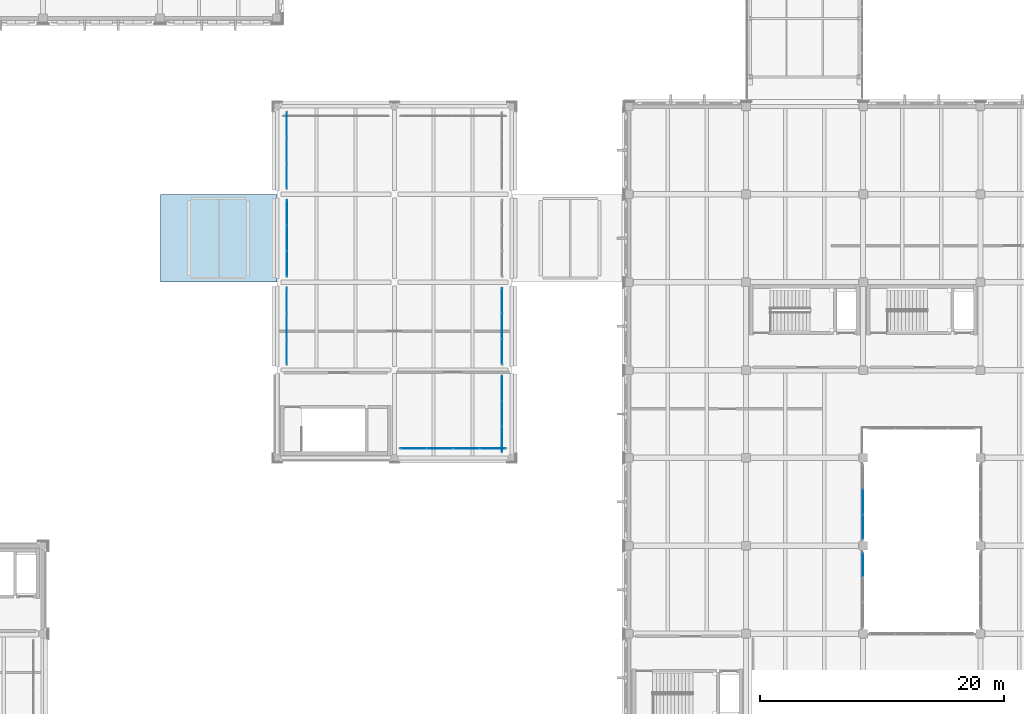
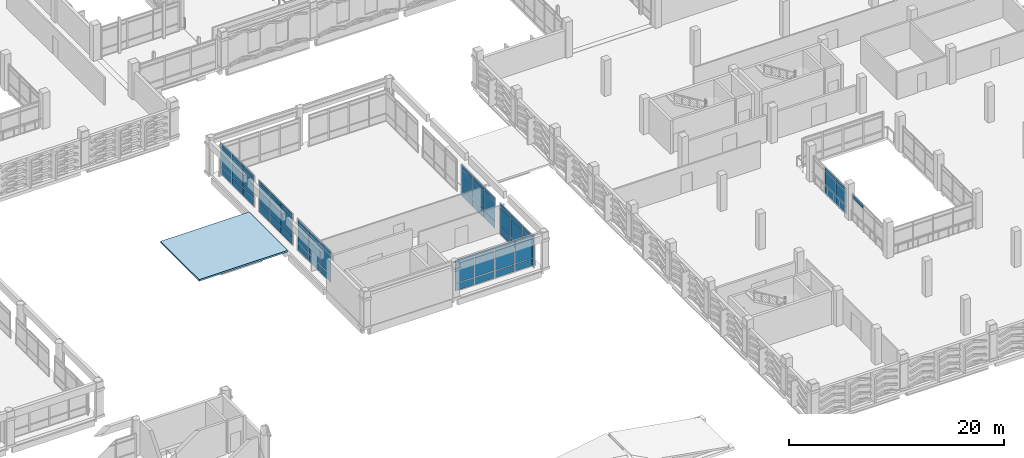
# One storey, part 126 of 180: 64 plates, 1 slab, 8 elements without a shape of their own.
"""IFC4 building model written with IfcOpenShell, lengths in metres."""

from ifc_helpers import new_model, si_unit, direction, frame, origin, origin_2d, place, context, subcontext, project, spatial, polyline, rectangle, outline, extrude, material, layer, layer_set, type_object, element, aggregate, save


model = new_model("IFC4")

# Units and contexts
model_context = context("Model", 3, precision=1e-05, world=origin(), true_north=direction((0.0, 1.0)))
body_context = subcontext(model_context, "Body", "Model", "MODEL_VIEW")
ifc_project = project(units=[si_unit("LENGTHUNIT", "METRE"), si_unit("AREAUNIT", "SQUARE_METRE"), si_unit("VOLUMEUNIT", "CUBIC_METRE"), si_unit("PLANEANGLEUNIT", "RADIAN"), si_unit("MASSUNIT", "GRAM", prefix="KILO")], contexts=[model_context])

# Site, building, storey
site_placement = place(None, origin())
site = spatial("IfcSite", under=ifc_project, at=site_placement, CompositionType="ELEMENT")
building_placement = place(site_placement, origin())
building = spatial("IfcBuilding", under=site, at=building_placement, Name="Asteropetra Specialist Clinic", CompositionType="ELEMENT")
storey_placement = place(building_placement, frame((0.0, 0.0, 4.419921875)))
storey = spatial("IfcBuildingStorey", under=building, at=storey_placement, Name="L01", CompositionType="ELEMENT", Elevation=4.419921875)

# Curtain wall, plates
ifc_material_1 = material(Name="Aluminium and low-E glass", Category="aluminium")
ifc_layer_1 = layer(ifc_material_1, 0.14990234375)
ifc_layer_set_1 = layer_set([ifc_layer_1], Name="Aluminium and low-E glass")
curtain_wall_type_1 = type_object("IfcCurtainWallType", Name="CW-SYS-11", PredefinedType="USERDEFINED", material=ifc_layer_set_1)
curtain_wall_1_placement = place(storey_placement, origin())
curtain_wall_1 = element("IfcCurtainWall", 1, at=curtain_wall_1_placement, inside=storey, type_object=curtain_wall_type_1, Name="Curtain Wall CW-176", ObjectType="STICK GLAZED COLONNADE", PredefinedType="USERDEFINED")
ifc_material_2 = material(Name="Low-E double glazing", Category="glass")
ifc_layer_2 = layer(ifc_material_2, 0.028076171875)
ifc_layer_set_2 = layer_set([ifc_layer_2], Name="Low-E double glazing")
plate_type_1 = type_object("IfcPlateType", Name="CWP-GLZ-28", PredefinedType="CURTAIN_PANEL", material=ifc_layer_set_2)
plate_1_placement = place(storey_placement, frame((95.219970703125, 35.125, 0.06005859375), z_axis=(0.0, 0.0, 1.0), x_axis=(0.0, 1.0, 0.0)))
plate_1 = element("IfcPlate", 2, at=plate_1_placement, type_object=plate_type_1, Name="CW-176 panel 1.1", PredefinedType="CURTAIN_PANEL", context=body_context, shape_type="SweptSolid", body=[
    extrude(rectangle(XDim=2.010009765625, YDim=0.028076171875, at=origin_2d()), origin(), (0.0, 0.0, 1.0), 0.81005859375),
])
plate_2_placement = place(storey_placement, frame((95.219970703125, 35.125, 0.93017578125), z_axis=(0.0, 0.0, 1.0), x_axis=(0.0, 1.0, 0.0)))
plate_2 = element("IfcPlate", 3, at=plate_2_placement, type_object=plate_type_1, Name="CW-176 panel 1.2", PredefinedType="CURTAIN_PANEL", context=body_context, shape_type="SweptSolid", body=[
    extrude(rectangle(XDim=2.010009765625, YDim=0.028076171875, at=origin_2d()), origin(), (0.0, 0.0, 1.0), 2.169921875),
])
plate_3_placement = place(storey_placement, frame((95.219970703125, 35.125, 3.16015625), z_axis=(0.0, 0.0, 1.0), x_axis=(0.0, 1.0, 0.0)))
plate_3 = element("IfcPlate", 4, at=plate_3_placement, type_object=plate_type_1, Name="CW-176 panel 1.3", PredefinedType="CURTAIN_PANEL", context=body_context, shape_type="SweptSolid", body=[
    extrude(rectangle(XDim=2.010009765625, YDim=0.028076171875, at=origin_2d()), origin(), (0.0, 0.0, 1.0), 0.409912109375),
])
plate_4_placement = place(storey_placement, frame((95.219970703125, 37.2099609375, 0.06005859375), z_axis=(0.0, 0.0, 1.0), x_axis=(0.0, 1.0, 0.0)))
plate_4 = element("IfcPlate", 5, at=plate_4_placement, type_object=plate_type_1, Name="CW-176 panel 2.1", PredefinedType="CURTAIN_PANEL", context=body_context, shape_type="SweptSolid", body=[
    extrude(rectangle(XDim=2.0400390625, YDim=0.028076171875, at=origin_2d()), origin(), (0.0, 0.0, 1.0), 0.81005859375),
])
plate_5_placement = place(storey_placement, frame((95.219970703125, 37.2099609375, 0.93017578125), z_axis=(0.0, 0.0, 1.0), x_axis=(0.0, 1.0, 0.0)))
plate_5 = element("IfcPlate", 6, at=plate_5_placement, type_object=plate_type_1, Name="CW-176 panel 2.2", PredefinedType="CURTAIN_PANEL", context=body_context, shape_type="SweptSolid", body=[
    extrude(rectangle(XDim=2.0400390625, YDim=0.028076171875, at=origin_2d()), origin(), (0.0, 0.0, 1.0), 2.169921875),
])
plate_6_placement = place(storey_placement, frame((95.219970703125, 37.2099609375, 3.16015625), z_axis=(0.0, 0.0, 1.0), x_axis=(0.0, 1.0, 0.0)))
plate_6 = element("IfcPlate", 7, at=plate_6_placement, type_object=plate_type_1, Name="CW-176 panel 2.3", PredefinedType="CURTAIN_PANEL", context=body_context, shape_type="SweptSolid", body=[
    extrude(rectangle(XDim=2.0400390625, YDim=0.028076171875, at=origin_2d()), origin(), (0.0, 0.0, 1.0), 0.409912109375),
])
plate_7_placement = place(storey_placement, frame((95.219970703125, 39.294921875, 0.06005859375), z_axis=(0.0, 0.0, 1.0), x_axis=(0.0, 1.0, 0.0)))
plate_7 = element("IfcPlate", 8, at=plate_7_placement, type_object=plate_type_1, Name="CW-176 panel 3.1", PredefinedType="CURTAIN_PANEL", context=body_context, shape_type="SweptSolid", body=[
    extrude(rectangle(XDim=2.010009765625, YDim=0.028076171875, at=origin_2d()), origin(), (0.0, 0.0, 1.0), 0.81005859375),
])
plate_8_placement = place(storey_placement, frame((95.219970703125, 39.294921875, 0.93017578125), z_axis=(0.0, 0.0, 1.0), x_axis=(0.0, 1.0, 0.0)))
plate_8 = element("IfcPlate", 9, at=plate_8_placement, type_object=plate_type_1, Name="CW-176 panel 3.2", PredefinedType="CURTAIN_PANEL", context=body_context, shape_type="SweptSolid", body=[
    extrude(rectangle(XDim=2.010009765625, YDim=0.028076171875, at=origin_2d()), origin(), (0.0, 0.0, 1.0), 2.169921875),
])
plate_9_placement = place(storey_placement, frame((95.219970703125, 39.294921875, 3.16015625), z_axis=(0.0, 0.0, 1.0), x_axis=(0.0, 1.0, 0.0)))
plate_9 = element("IfcPlate", 10, at=plate_9_placement, type_object=plate_type_1, Name="CW-176 panel 3.3", PredefinedType="CURTAIN_PANEL", context=body_context, shape_type="SweptSolid", body=[
    extrude(rectangle(XDim=2.010009765625, YDim=0.028076171875, at=origin_2d()), origin(), (0.0, 0.0, 1.0), 0.409912109375),
])
aggregate(curtain_wall_1, [plate_1, plate_2, plate_3, plate_4, plate_5, plate_6, plate_7, plate_8, plate_9])

# Curtain wall, plate
ifc_material_3 = material(Name="Aluminium and low-E glass", Category="aluminium")
ifc_layer_3 = layer(ifc_material_3, 0.179931640625)
ifc_layer_set_3 = layer_set([ifc_layer_3], Name="Aluminium and low-E glass")
curtain_wall_type_2 = type_object("IfcCurtainWallType", Name="CW-SYS-10", PredefinedType="USERDEFINED", material=ifc_layer_set_3)
curtain_wall_2_placement = place(storey_placement, origin())
curtain_wall_2 = element("IfcCurtainWall", 11, at=curtain_wall_2_placement, inside=storey, type_object=curtain_wall_type_2, Name="Curtain Wall CW-073", ObjectType="STICK GLAZED COLONNADE", PredefinedType="USERDEFINED")
ifc_material_4 = material(Name="Low-E acoustic double glazing", Category="glass")
ifc_layer_4 = layer(ifc_material_4, 0.031982421875)
ifc_layer_set_4 = layer_set([ifc_layer_4], Name="Low-E acoustic double glazing")
plate_type_2 = type_object("IfcPlateType", Name="CWP-GLZ-32", PredefinedType="CURTAIN_PANEL", material=ifc_layer_set_4)
plate_10_placement = place(storey_placement, frame((124.800048828125, 24.84375, 2.5927734375), z_axis=(0.0, 0.0, 1.0), x_axis=(0.0, -1.0, 0.0)))
plate_10 = element("IfcPlate", 12, at=plate_10_placement, type_object=plate_type_2, Name="CW-073 panel 1.3", PredefinedType="CURTAIN_PANEL", context=body_context, shape_type="SweptSolid", body=[
    extrude(rectangle(XDim=1.96240234375, YDim=0.031982421875, at=origin_2d()), origin(), (0.0, 0.0, 1.0), 0.402587890625),
])
aggregate(curtain_wall_2, [plate_10])

# Curtain wall, plates
curtain_wall_3_placement = place(storey_placement, origin())
curtain_wall_3 = element("IfcCurtainWall", 13, at=curtain_wall_3_placement, inside=storey, type_object=curtain_wall_type_2, Name="Curtain Wall CW-177", ObjectType="STICK GLAZED COLONNADE", PredefinedType="USERDEFINED")
plate_11_placement = place(storey_placement, frame((77.580078125, 46.488037109375, 0.074951171875), z_axis=(0.0, 0.0, 1.0), x_axis=(0.0, -1.0, 0.0)))
plate_11 = element("IfcPlate", 14, at=plate_11_placement, type_object=plate_type_2, Name="CW-177 panel 1.1", PredefinedType="CURTAIN_PANEL", context=body_context, shape_type="SweptSolid", body=[
    extrude(rectangle(XDim=1.994140625, YDim=0.031982421875, at=origin_2d()), origin(), (0.0, 0.0, 1.0), 0.78759765625),
])
plate_12_placement = place(storey_placement, frame((77.580078125, 46.488037109375, 0.9375), z_axis=(0.0, 0.0, 1.0), x_axis=(0.0, -1.0, 0.0)))
plate_12 = element("IfcPlate", 15, at=plate_12_placement, type_object=plate_type_2, Name="CW-177 panel 1.2", PredefinedType="CURTAIN_PANEL", context=body_context, shape_type="SweptSolid", body=[
    extrude(rectangle(XDim=1.994140625, YDim=0.031982421875, at=origin_2d()), origin(), (0.0, 0.0, 1.0), 2.155029296875),
])
plate_13_placement = place(storey_placement, frame((77.580078125, 46.488037109375, 3.16748046875), z_axis=(0.0, 0.0, 1.0), x_axis=(0.0, -1.0, 0.0)))
plate_13 = element("IfcPlate", 16, at=plate_13_placement, type_object=plate_type_2, Name="CW-177 panel 1.3", PredefinedType="CURTAIN_PANEL", context=body_context, shape_type="SweptSolid", body=[
    extrude(rectangle(XDim=1.994140625, YDim=0.031982421875, at=origin_2d()), origin(), (0.0, 0.0, 1.0), 0.387451171875),
])
plate_14_placement = place(storey_placement, frame((77.580078125, 44.39990234375, 0.074951171875), z_axis=(0.0, 0.0, 1.0), x_axis=(0.0, -1.0, 0.0)))
plate_14 = element("IfcPlate", 17, at=plate_14_placement, type_object=plate_type_2, Name="CW-177 panel 2.1", PredefinedType="CURTAIN_PANEL", context=body_context, shape_type="SweptSolid", body=[
    extrude(rectangle(XDim=2.03173828125, YDim=0.031982421875, at=origin_2d()), origin(), (0.0, 0.0, 1.0), 0.78759765625),
])
plate_15_placement = place(storey_placement, frame((77.580078125, 44.39990234375, 0.9375), z_axis=(0.0, 0.0, 1.0), x_axis=(0.0, -1.0, 0.0)))
plate_15 = element("IfcPlate", 18, at=plate_15_placement, type_object=plate_type_2, Name="CW-177 panel 2.2", PredefinedType="CURTAIN_PANEL", context=body_context, shape_type="SweptSolid", body=[
    extrude(rectangle(XDim=2.03173828125, YDim=0.031982421875, at=origin_2d()), origin(), (0.0, 0.0, 1.0), 2.155029296875),
])
plate_16_placement = place(storey_placement, frame((77.580078125, 44.39990234375, 3.16748046875), z_axis=(0.0, 0.0, 1.0), x_axis=(0.0, -1.0, 0.0)))
plate_16 = element("IfcPlate", 19, at=plate_16_placement, type_object=plate_type_2, Name="CW-177 panel 2.3", PredefinedType="CURTAIN_PANEL", context=body_context, shape_type="SweptSolid", body=[
    extrude(rectangle(XDim=2.03173828125, YDim=0.031982421875, at=origin_2d()), origin(), (0.0, 0.0, 1.0), 0.387451171875),
])
plate_17_placement = place(storey_placement, frame((77.580078125, 42.31201171875, 0.074951171875), z_axis=(0.0, 0.0, 1.0), x_axis=(0.0, -1.0, 0.0)))
plate_17 = element("IfcPlate", 20, at=plate_17_placement, type_object=plate_type_2, Name="CW-177 panel 3.1", PredefinedType="CURTAIN_PANEL", context=body_context, shape_type="SweptSolid", body=[
    extrude(rectangle(XDim=1.994140625, YDim=0.031982421875, at=origin_2d()), origin(), (0.0, 0.0, 1.0), 0.78759765625),
])
plate_18_placement = place(storey_placement, frame((77.580078125, 42.31201171875, 0.9375), z_axis=(0.0, 0.0, 1.0), x_axis=(0.0, -1.0, 0.0)))
plate_18 = element("IfcPlate", 21, at=plate_18_placement, type_object=plate_type_2, Name="CW-177 panel 3.2", PredefinedType="CURTAIN_PANEL", context=body_context, shape_type="SweptSolid", body=[
    extrude(rectangle(XDim=1.994140625, YDim=0.031982421875, at=origin_2d()), origin(), (0.0, 0.0, 1.0), 2.155029296875),
])
plate_19_placement = place(storey_placement, frame((77.580078125, 42.31201171875, 3.16748046875), z_axis=(0.0, 0.0, 1.0), x_axis=(0.0, -1.0, 0.0)))
plate_19 = element("IfcPlate", 22, at=plate_19_placement, type_object=plate_type_2, Name="CW-177 panel 3.3", PredefinedType="CURTAIN_PANEL", context=body_context, shape_type="SweptSolid", body=[
    extrude(rectangle(XDim=1.994140625, YDim=0.031982421875, at=origin_2d()), origin(), (0.0, 0.0, 1.0), 0.387451171875),
])
aggregate(curtain_wall_3, [plate_11, plate_12, plate_13, plate_14, plate_15, plate_16, plate_17, plate_18, plate_19])

ifc_material_5 = material(Name="Aluminium and low-E glass", Category="aluminium")
ifc_layer_5 = layer(ifc_material_5, 0.179931640625)
ifc_layer_set_5 = layer_set([ifc_layer_5], Name="Aluminium and low-E glass")
curtain_wall_type_3 = type_object("IfcCurtainWallType", Name="CW-SYS-01", PredefinedType="USERDEFINED", material=ifc_layer_set_5)
curtain_wall_4_placement = place(storey_placement, origin())
curtain_wall_4 = element("IfcCurtainWall", 23, at=curtain_wall_4_placement, inside=storey, type_object=curtain_wall_type_3, Name="Curtain Wall CW-181", ObjectType="UNITISED CURTAIN WALL", PredefinedType="USERDEFINED")
plate_20_placement = place(storey_placement, frame((77.580078125, 60.873779296875, 0.06494140625), z_axis=(0.0, 0.0, 1.0), x_axis=(0.0, -1.0, 0.0)))
plate_20 = element("IfcPlate", 24, at=plate_20_placement, type_object=plate_type_2, Name="CW-181 panel 1.1", PredefinedType="CURTAIN_PANEL", context=body_context, shape_type="SweptSolid", body=[
    extrude(rectangle(XDim=2.00244140625, YDim=0.031982421875, at=origin_2d()), origin(), (0.0, 0.0, 1.0), 0.802490234375),
])
plate_21_placement = place(storey_placement, frame((77.580078125, 60.873779296875, 0.9326171875), z_axis=(0.0, 0.0, 1.0), x_axis=(0.0, -1.0, 0.0)))
plate_21 = element("IfcPlate", 25, at=plate_21_placement, type_object=plate_type_2, Name="CW-181 panel 1.2", PredefinedType="CURTAIN_PANEL", context=body_context, shape_type="SweptSolid", body=[
    extrude(rectangle(XDim=2.00244140625, YDim=0.031982421875, at=origin_2d()), origin(), (0.0, 0.0, 1.0), 2.1650390625),
])
plate_22_placement = place(storey_placement, frame((77.580078125, 60.873779296875, 3.16259765625), z_axis=(0.0, 0.0, 1.0), x_axis=(0.0, -1.0, 0.0)))
plate_22 = element("IfcPlate", 26, at=plate_22_placement, type_object=plate_type_2, Name="CW-181 panel 1.3", PredefinedType="CURTAIN_PANEL", context=body_context, shape_type="SweptSolid", body=[
    extrude(rectangle(XDim=2.00244140625, YDim=0.031982421875, at=origin_2d()), origin(), (0.0, 0.0, 1.0), 0.402587890625),
])
plate_23_placement = place(storey_placement, frame((77.580078125, 58.7900390625, 0.06494140625), z_axis=(0.0, 0.0, 1.0), x_axis=(0.0, -1.0, 0.0)))
plate_23 = element("IfcPlate", 27, at=plate_23_placement, type_object=plate_type_2, Name="CW-181 panel 2.1", PredefinedType="CURTAIN_PANEL", context=body_context, shape_type="SweptSolid", body=[
    extrude(rectangle(XDim=2.034912109375, YDim=0.031982421875, at=origin_2d()), origin(), (0.0, 0.0, 1.0), 0.802490234375),
])
plate_24_placement = place(storey_placement, frame((77.580078125, 58.7900390625, 0.9326171875), z_axis=(0.0, 0.0, 1.0), x_axis=(0.0, -1.0, 0.0)))
plate_24 = element("IfcPlate", 28, at=plate_24_placement, type_object=plate_type_2, Name="CW-181 panel 2.2", PredefinedType="CURTAIN_PANEL", context=body_context, shape_type="SweptSolid", body=[
    extrude(rectangle(XDim=2.034912109375, YDim=0.031982421875, at=origin_2d()), origin(), (0.0, 0.0, 1.0), 2.1650390625),
])
plate_25_placement = place(storey_placement, frame((77.580078125, 58.7900390625, 3.16259765625), z_axis=(0.0, 0.0, 1.0), x_axis=(0.0, -1.0, 0.0)))
plate_25 = element("IfcPlate", 29, at=plate_25_placement, type_object=plate_type_2, Name="CW-181 panel 2.3", PredefinedType="CURTAIN_PANEL", context=body_context, shape_type="SweptSolid", body=[
    extrude(rectangle(XDim=2.034912109375, YDim=0.031982421875, at=origin_2d()), origin(), (0.0, 0.0, 1.0), 0.402587890625),
])
plate_26_placement = place(storey_placement, frame((77.580078125, 56.706298828125, 0.06494140625), z_axis=(0.0, 0.0, 1.0), x_axis=(0.0, -1.0, 0.0)))
plate_26 = element("IfcPlate", 30, at=plate_26_placement, type_object=plate_type_2, Name="CW-181 panel 3.1", PredefinedType="CURTAIN_PANEL", context=body_context, shape_type="SweptSolid", body=[
    extrude(rectangle(XDim=2.00244140625, YDim=0.031982421875, at=origin_2d()), origin(), (0.0, 0.0, 1.0), 0.802490234375),
])
plate_27_placement = place(storey_placement, frame((77.580078125, 56.706298828125, 0.9326171875), z_axis=(0.0, 0.0, 1.0), x_axis=(0.0, -1.0, 0.0)))
plate_27 = element("IfcPlate", 31, at=plate_27_placement, type_object=plate_type_2, Name="CW-181 panel 3.2", PredefinedType="CURTAIN_PANEL", context=body_context, shape_type="SweptSolid", body=[
    extrude(rectangle(XDim=2.00244140625, YDim=0.031982421875, at=origin_2d()), origin(), (0.0, 0.0, 1.0), 2.1650390625),
])
plate_28_placement = place(storey_placement, frame((77.580078125, 56.706298828125, 3.16259765625), z_axis=(0.0, 0.0, 1.0), x_axis=(0.0, -1.0, 0.0)))
plate_28 = element("IfcPlate", 32, at=plate_28_placement, type_object=plate_type_2, Name="CW-181 panel 3.3", PredefinedType="CURTAIN_PANEL", context=body_context, shape_type="SweptSolid", body=[
    extrude(rectangle(XDim=2.00244140625, YDim=0.031982421875, at=origin_2d()), origin(), (0.0, 0.0, 1.0), 0.402587890625),
])
aggregate(curtain_wall_4, [plate_20, plate_21, plate_22, plate_23, plate_24, plate_25, plate_26, plate_27, plate_28])

curtain_wall_5_placement = place(storey_placement, origin())
curtain_wall_5 = element("IfcCurtainWall", 33, at=curtain_wall_5_placement, inside=storey, type_object=curtain_wall_type_1, Name="Curtain Wall CW-174", ObjectType="STICK GLAZED COLONNADE", PredefinedType="USERDEFINED")
ifc_material_6 = material(Name="Solar-control triple glazing", Category="glass")
ifc_layer_6 = layer(ifc_material_6, 0.035888671875)
ifc_layer_set_6 = layer_set([ifc_layer_6], Name="Solar-control triple glazing")
plate_type_3 = type_object("IfcPlateType", Name="CWP-GLZ-36", PredefinedType="CURTAIN_PANEL", material=ifc_layer_set_6)
plate_29_placement = place(storey_placement, frame((87.9638671875, 34.3798828125, 0.074951171875), z_axis=(0.0, 0.0, 1.0), x_axis=(1.0, 0.0, 0.0)))
plate_29 = element("IfcPlate", 34, at=plate_29_placement, type_object=plate_type_3, Name="CW-174 panel 1.1", PredefinedType="CURTAIN_PANEL", context=body_context, shape_type="SweptSolid", body=[
    extrude(rectangle(XDim=2.0576171875, YDim=0.035888671875, at=origin_2d()), origin(), (0.0, 0.0, 1.0), 0.78759765625),
])
plate_30_placement = place(storey_placement, frame((87.9638671875, 34.3798828125, 0.9375), z_axis=(0.0, 0.0, 1.0), x_axis=(1.0, 0.0, 0.0)))
plate_30 = element("IfcPlate", 35, at=plate_30_placement, type_object=plate_type_3, Name="CW-174 panel 1.2", PredefinedType="CURTAIN_PANEL", context=body_context, shape_type="SweptSolid", body=[
    extrude(rectangle(XDim=2.0576171875, YDim=0.035888671875, at=origin_2d()), origin(), (0.0, 0.0, 1.0), 2.155029296875),
])
plate_31_placement = place(storey_placement, frame((87.9638671875, 34.3798828125, 3.16748046875), z_axis=(0.0, 0.0, 1.0), x_axis=(1.0, 0.0, 0.0)))
plate_31 = element("IfcPlate", 36, at=plate_31_placement, type_object=plate_type_3, Name="CW-174 panel 1.3", PredefinedType="CURTAIN_PANEL", context=body_context, shape_type="SweptSolid", body=[
    extrude(rectangle(XDim=2.0576171875, YDim=0.035888671875, at=origin_2d()), origin(), (0.0, 0.0, 1.0), 0.387451171875),
])
plate_32_placement = place(storey_placement, frame((90.114990234375, 34.3798828125, 0.074951171875), z_axis=(0.0, 0.0, 1.0), x_axis=(1.0, 0.0, 0.0)))
plate_32 = element("IfcPlate", 37, at=plate_32_placement, type_object=plate_type_3, Name="CW-174 panel 2.1", PredefinedType="CURTAIN_PANEL", context=body_context, shape_type="SweptSolid", body=[
    extrude(rectangle(XDim=2.094970703125, YDim=0.035888671875, at=origin_2d()), origin(), (0.0, 0.0, 1.0), 0.78759765625),
])
plate_33_placement = place(storey_placement, frame((90.114990234375, 34.3798828125, 0.9375), z_axis=(0.0, 0.0, 1.0), x_axis=(1.0, 0.0, 0.0)))
plate_33 = element("IfcPlate", 38, at=plate_33_placement, type_object=plate_type_3, Name="CW-174 panel 2.2", PredefinedType="CURTAIN_PANEL", context=body_context, shape_type="SweptSolid", body=[
    extrude(rectangle(XDim=2.094970703125, YDim=0.035888671875, at=origin_2d()), origin(), (0.0, 0.0, 1.0), 2.155029296875),
])
plate_34_placement = place(storey_placement, frame((90.114990234375, 34.3798828125, 3.16748046875), z_axis=(0.0, 0.0, 1.0), x_axis=(1.0, 0.0, 0.0)))
plate_34 = element("IfcPlate", 39, at=plate_34_placement, type_object=plate_type_3, Name="CW-174 panel 2.3", PredefinedType="CURTAIN_PANEL", context=body_context, shape_type="SweptSolid", body=[
    extrude(rectangle(XDim=2.094970703125, YDim=0.035888671875, at=origin_2d()), origin(), (0.0, 0.0, 1.0), 0.387451171875),
])
plate_35_placement = place(storey_placement, frame((92.284912109375, 34.3798828125, 0.074951171875), z_axis=(0.0, 0.0, 1.0), x_axis=(1.0, 0.0, 0.0)))
plate_35 = element("IfcPlate", 40, at=plate_35_placement, type_object=plate_type_3, Name="CW-174 panel 3.1", PredefinedType="CURTAIN_PANEL", context=body_context, shape_type="SweptSolid", body=[
    extrude(rectangle(XDim=2.094970703125, YDim=0.035888671875, at=origin_2d()), origin(), (0.0, 0.0, 1.0), 0.78759765625),
])
plate_36_placement = place(storey_placement, frame((92.284912109375, 34.3798828125, 0.9375), z_axis=(0.0, 0.0, 1.0), x_axis=(1.0, 0.0, 0.0)))
plate_36 = element("IfcPlate", 41, at=plate_36_placement, type_object=plate_type_3, Name="CW-174 panel 3.2", PredefinedType="CURTAIN_PANEL", context=body_context, shape_type="SweptSolid", body=[
    extrude(rectangle(XDim=2.094970703125, YDim=0.035888671875, at=origin_2d()), origin(), (0.0, 0.0, 1.0), 2.155029296875),
])
plate_37_placement = place(storey_placement, frame((92.284912109375, 34.3798828125, 3.16748046875), z_axis=(0.0, 0.0, 1.0), x_axis=(1.0, 0.0, 0.0)))
plate_37 = element("IfcPlate", 42, at=plate_37_placement, type_object=plate_type_3, Name="CW-174 panel 3.3", PredefinedType="CURTAIN_PANEL", context=body_context, shape_type="SweptSolid", body=[
    extrude(rectangle(XDim=2.094970703125, YDim=0.035888671875, at=origin_2d()), origin(), (0.0, 0.0, 1.0), 0.387451171875),
])
plate_38_placement = place(storey_placement, frame((94.436279296875, 34.3798828125, 0.074951171875), z_axis=(0.0, 0.0, 1.0), x_axis=(1.0, 0.0, 0.0)))
plate_38 = element("IfcPlate", 43, at=plate_38_placement, type_object=plate_type_3, Name="CW-174 panel 4.1", PredefinedType="CURTAIN_PANEL", context=body_context, shape_type="SweptSolid", body=[
    extrude(rectangle(XDim=2.0576171875, YDim=0.035888671875, at=origin_2d()), origin(), (0.0, 0.0, 1.0), 0.78759765625),
])
plate_39_placement = place(storey_placement, frame((94.436279296875, 34.3798828125, 0.9375), z_axis=(0.0, 0.0, 1.0), x_axis=(1.0, 0.0, 0.0)))
plate_39 = element("IfcPlate", 44, at=plate_39_placement, type_object=plate_type_3, Name="CW-174 panel 4.2", PredefinedType="CURTAIN_PANEL", context=body_context, shape_type="SweptSolid", body=[
    extrude(rectangle(XDim=2.0576171875, YDim=0.035888671875, at=origin_2d()), origin(), (0.0, 0.0, 1.0), 2.155029296875),
])
plate_40_placement = place(storey_placement, frame((94.436279296875, 34.3798828125, 3.16748046875), z_axis=(0.0, 0.0, 1.0), x_axis=(1.0, 0.0, 0.0)))
plate_40 = element("IfcPlate", 45, at=plate_40_placement, type_object=plate_type_3, Name="CW-174 panel 4.3", PredefinedType="CURTAIN_PANEL", context=body_context, shape_type="SweptSolid", body=[
    extrude(rectangle(XDim=2.0576171875, YDim=0.035888671875, at=origin_2d()), origin(), (0.0, 0.0, 1.0), 0.387451171875),
])
aggregate(curtain_wall_5, [plate_29, plate_30, plate_31, plate_32, plate_33, plate_34, plate_35, plate_36, plate_37, plate_38, plate_39, plate_40])

curtain_wall_6_placement = place(storey_placement, origin())
curtain_wall_6 = element("IfcCurtainWall", 46, at=curtain_wall_6_placement, inside=storey, type_object=curtain_wall_type_2, Name="Curtain Wall CW-178", ObjectType="STICK GLAZED COLONNADE", PredefinedType="USERDEFINED")
plate_41_placement = place(storey_placement, frame((95.219970703125, 42.3095703125, 0.06494140625), z_axis=(0.0, 0.0, 1.0), x_axis=(0.0, 1.0, 0.0)))
plate_41 = element("IfcPlate", 47, at=plate_41_placement, type_object=plate_type_3, Name="CW-178 panel 1.1", PredefinedType="CURTAIN_PANEL", context=body_context, shape_type="SweptSolid", body=[
    extrude(rectangle(XDim=2.00927734375, YDim=0.035888671875, at=origin_2d()), origin(), (0.0, 0.0, 1.0), 0.802490234375),
])
plate_42_placement = place(storey_placement, frame((95.219970703125, 42.3095703125, 0.9326171875), z_axis=(0.0, 0.0, 1.0), x_axis=(0.0, 1.0, 0.0)))
plate_42 = element("IfcPlate", 48, at=plate_42_placement, type_object=plate_type_3, Name="CW-178 panel 1.2", PredefinedType="CURTAIN_PANEL", context=body_context, shape_type="SweptSolid", body=[
    extrude(rectangle(XDim=2.00927734375, YDim=0.035888671875, at=origin_2d()), origin(), (0.0, 0.0, 1.0), 2.1650390625),
])
plate_43_placement = place(storey_placement, frame((95.219970703125, 42.3095703125, 3.16259765625), z_axis=(0.0, 0.0, 1.0), x_axis=(0.0, 1.0, 0.0)))
plate_43 = element("IfcPlate", 49, at=plate_43_placement, type_object=plate_type_3, Name="CW-178 panel 1.3", PredefinedType="CURTAIN_PANEL", context=body_context, shape_type="SweptSolid", body=[
    extrude(rectangle(XDim=2.00927734375, YDim=0.035888671875, at=origin_2d()), origin(), (0.0, 0.0, 1.0), 0.402587890625),
])
plate_44_placement = place(storey_placement, frame((95.219970703125, 44.39990234375, 0.06494140625), z_axis=(0.0, 0.0, 1.0), x_axis=(0.0, 1.0, 0.0)))
plate_44 = element("IfcPlate", 50, at=plate_44_placement, type_object=plate_type_3, Name="CW-178 panel 2.1", PredefinedType="CURTAIN_PANEL", context=body_context, shape_type="SweptSolid", body=[
    extrude(rectangle(XDim=2.041748046875, YDim=0.035888671875, at=origin_2d()), origin(), (0.0, 0.0, 1.0), 0.802490234375),
])
plate_45_placement = place(storey_placement, frame((95.219970703125, 44.39990234375, 0.9326171875), z_axis=(0.0, 0.0, 1.0), x_axis=(0.0, 1.0, 0.0)))
plate_45 = element("IfcPlate", 51, at=plate_45_placement, type_object=plate_type_3, Name="CW-178 panel 2.2", PredefinedType="CURTAIN_PANEL", context=body_context, shape_type="SweptSolid", body=[
    extrude(rectangle(XDim=2.041748046875, YDim=0.035888671875, at=origin_2d()), origin(), (0.0, 0.0, 1.0), 2.1650390625),
])
plate_46_placement = place(storey_placement, frame((95.219970703125, 44.39990234375, 3.16259765625), z_axis=(0.0, 0.0, 1.0), x_axis=(0.0, 1.0, 0.0)))
plate_46 = element("IfcPlate", 52, at=plate_46_placement, type_object=plate_type_3, Name="CW-178 panel 2.3", PredefinedType="CURTAIN_PANEL", context=body_context, shape_type="SweptSolid", body=[
    extrude(rectangle(XDim=2.041748046875, YDim=0.035888671875, at=origin_2d()), origin(), (0.0, 0.0, 1.0), 0.402587890625),
])
plate_47_placement = place(storey_placement, frame((95.219970703125, 46.490478515625, 0.06494140625), z_axis=(0.0, 0.0, 1.0), x_axis=(0.0, 1.0, 0.0)))
plate_47 = element("IfcPlate", 53, at=plate_47_placement, type_object=plate_type_3, Name="CW-178 panel 3.1", PredefinedType="CURTAIN_PANEL", context=body_context, shape_type="SweptSolid", body=[
    extrude(rectangle(XDim=2.00927734375, YDim=0.035888671875, at=origin_2d()), origin(), (0.0, 0.0, 1.0), 0.802490234375),
])
plate_48_placement = place(storey_placement, frame((95.219970703125, 46.490478515625, 0.9326171875), z_axis=(0.0, 0.0, 1.0), x_axis=(0.0, 1.0, 0.0)))
plate_48 = element("IfcPlate", 54, at=plate_48_placement, type_object=plate_type_3, Name="CW-178 panel 3.2", PredefinedType="CURTAIN_PANEL", context=body_context, shape_type="SweptSolid", body=[
    extrude(rectangle(XDim=2.00927734375, YDim=0.035888671875, at=origin_2d()), origin(), (0.0, 0.0, 1.0), 2.1650390625),
])
plate_49_placement = place(storey_placement, frame((95.219970703125, 46.490478515625, 3.16259765625), z_axis=(0.0, 0.0, 1.0), x_axis=(0.0, 1.0, 0.0)))
plate_49 = element("IfcPlate", 55, at=plate_49_placement, type_object=plate_type_3, Name="CW-178 panel 3.3", PredefinedType="CURTAIN_PANEL", context=body_context, shape_type="SweptSolid", body=[
    extrude(rectangle(XDim=2.00927734375, YDim=0.035888671875, at=origin_2d()), origin(), (0.0, 0.0, 1.0), 0.402587890625),
])
aggregate(curtain_wall_6, [plate_41, plate_42, plate_43, plate_44, plate_45, plate_46, plate_47, plate_48, plate_49])

curtain_wall_7_placement = place(storey_placement, origin())
curtain_wall_7 = element("IfcCurtainWall", 56, at=curtain_wall_7_placement, inside=storey, type_object=curtain_wall_type_1, Name="Curtain Wall CW-075", ObjectType="STICK GLAZED COLONNADE", PredefinedType="USERDEFINED")
ifc_material_7 = material(Name="Laminated skylight glazing", Category="glass")
ifc_layer_7 = layer(ifc_material_7, 0.0400390625)
ifc_layer_set_7 = layer_set([ifc_layer_7], Name="Laminated skylight glazing")
plate_type_4 = type_object("IfcPlateType", Name="CWP-GLZ-40", PredefinedType="CURTAIN_PANEL", material=ifc_layer_set_7)
plate_50_placement = place(storey_placement, frame((124.800048828125, 30.0, 0.074951171875), z_axis=(0.0, 0.0, 1.0), x_axis=(0.0, -1.0, 0.0)))
plate_50 = element("IfcPlate", 57, at=plate_50_placement, type_object=plate_type_4, Name="CW-075 panel 2.1", PredefinedType="CURTAIN_PANEL", context=body_context, shape_type="SweptSolid", body=[
    extrude(rectangle(XDim=1.985107421875, YDim=0.0400390625, at=origin_2d()), origin(), (0.0, 0.0, 1.0), 0.78759765625),
])
plate_51_placement = place(storey_placement, frame((124.800048828125, 30.0, 0.9375), z_axis=(0.0, 0.0, 1.0), x_axis=(0.0, -1.0, 0.0)))
plate_51 = element("IfcPlate", 58, at=plate_51_placement, type_object=plate_type_4, Name="CW-075 panel 2.2", PredefinedType="CURTAIN_PANEL", context=body_context, shape_type="SweptSolid", body=[
    extrude(rectangle(XDim=1.985107421875, YDim=0.0400390625, at=origin_2d()), origin(), (0.0, 0.0, 1.0), 1.5849609375),
])
plate_52_placement = place(storey_placement, frame((124.800048828125, 30.0, 2.59765625), z_axis=(0.0, 0.0, 1.0), x_axis=(0.0, -1.0, 0.0)))
plate_52 = element("IfcPlate", 59, at=plate_52_placement, type_object=plate_type_4, Name="CW-075 panel 2.3", PredefinedType="CURTAIN_PANEL", context=body_context, shape_type="SweptSolid", body=[
    extrude(rectangle(XDim=1.985107421875, YDim=0.0400390625, at=origin_2d()), origin(), (0.0, 0.0, 1.0), 0.387451171875),
])
plate_53_placement = place(storey_placement, frame((124.800048828125, 27.958740234375, 0.074951171875), z_axis=(0.0, 0.0, 1.0), x_axis=(0.0, -1.0, 0.0)))
plate_53 = element("IfcPlate", 60, at=plate_53_placement, type_object=plate_type_4, Name="CW-075 panel 3.1", PredefinedType="CURTAIN_PANEL", context=body_context, shape_type="SweptSolid", body=[
    extrude(rectangle(XDim=1.947509765625, YDim=0.0400390625, at=origin_2d()), origin(), (0.0, 0.0, 1.0), 0.78759765625),
])
plate_54_placement = place(storey_placement, frame((124.800048828125, 27.958740234375, 0.9375), z_axis=(0.0, 0.0, 1.0), x_axis=(0.0, -1.0, 0.0)))
plate_54 = element("IfcPlate", 61, at=plate_54_placement, type_object=plate_type_4, Name="CW-075 panel 3.2", PredefinedType="CURTAIN_PANEL", context=body_context, shape_type="SweptSolid", body=[
    extrude(rectangle(XDim=1.947509765625, YDim=0.0400390625, at=origin_2d()), origin(), (0.0, 0.0, 1.0), 1.5849609375),
])
plate_55_placement = place(storey_placement, frame((124.800048828125, 27.958740234375, 2.59765625), z_axis=(0.0, 0.0, 1.0), x_axis=(0.0, -1.0, 0.0)))
plate_55 = element("IfcPlate", 62, at=plate_55_placement, type_object=plate_type_4, Name="CW-075 panel 3.3", PredefinedType="CURTAIN_PANEL", context=body_context, shape_type="SweptSolid", body=[
    extrude(rectangle(XDim=1.947509765625, YDim=0.0400390625, at=origin_2d()), origin(), (0.0, 0.0, 1.0), 0.387451171875),
])
aggregate(curtain_wall_7, [plate_50, plate_51, plate_52, plate_53, plate_54, plate_55])

curtain_wall_8_placement = place(storey_placement, origin())
curtain_wall_8 = element("IfcCurtainWall", 63, at=curtain_wall_8_placement, inside=storey, type_object=curtain_wall_type_2, Name="Curtain Wall CW-179", ObjectType="STICK GLAZED COLONNADE", PredefinedType="USERDEFINED")
plate_56_placement = place(storey_placement, frame((77.580078125, 53.691650390625, 0.06005859375), z_axis=(0.0, 0.0, 1.0), x_axis=(0.0, -1.0, 0.0)))
plate_56 = element("IfcPlate", 64, at=plate_56_placement, type_object=plate_type_4, Name="CW-179 panel 1.1", PredefinedType="CURTAIN_PANEL", context=body_context, shape_type="SweptSolid", body=[
    extrude(rectangle(XDim=2.0166015625, YDim=0.0400390625, at=origin_2d()), origin(), (0.0, 0.0, 1.0), 0.81005859375),
])
plate_57_placement = place(storey_placement, frame((77.580078125, 53.691650390625, 0.93017578125), z_axis=(0.0, 0.0, 1.0), x_axis=(0.0, -1.0, 0.0)))
plate_57 = element("IfcPlate", 65, at=plate_57_placement, type_object=plate_type_4, Name="CW-179 panel 1.2", PredefinedType="CURTAIN_PANEL", context=body_context, shape_type="SweptSolid", body=[
    extrude(rectangle(XDim=2.0166015625, YDim=0.0400390625, at=origin_2d()), origin(), (0.0, 0.0, 1.0), 2.169921875),
])
plate_58_placement = place(storey_placement, frame((77.580078125, 53.691650390625, 3.16015625), z_axis=(0.0, 0.0, 1.0), x_axis=(0.0, -1.0, 0.0)))
plate_58 = element("IfcPlate", 66, at=plate_58_placement, type_object=plate_type_4, Name="CW-179 panel 1.3", PredefinedType="CURTAIN_PANEL", context=body_context, shape_type="SweptSolid", body=[
    extrude(rectangle(XDim=2.0166015625, YDim=0.0400390625, at=origin_2d()), origin(), (0.0, 0.0, 1.0), 0.409912109375),
])
plate_59_placement = place(storey_placement, frame((77.580078125, 51.60009765625, 0.06005859375), z_axis=(0.0, 0.0, 1.0), x_axis=(0.0, -1.0, 0.0)))
plate_59 = element("IfcPlate", 67, at=plate_59_placement, type_object=plate_type_4, Name="CW-179 panel 2.1", PredefinedType="CURTAIN_PANEL", context=body_context, shape_type="SweptSolid", body=[
    extrude(rectangle(XDim=2.046630859375, YDim=0.0400390625, at=origin_2d()), origin(), (0.0, 0.0, 1.0), 0.81005859375),
])
plate_60_placement = place(storey_placement, frame((77.580078125, 51.60009765625, 0.93017578125), z_axis=(0.0, 0.0, 1.0), x_axis=(0.0, -1.0, 0.0)))
plate_60 = element("IfcPlate", 68, at=plate_60_placement, type_object=plate_type_4, Name="CW-179 panel 2.2", PredefinedType="CURTAIN_PANEL", context=body_context, shape_type="SweptSolid", body=[
    extrude(rectangle(XDim=2.046630859375, YDim=0.0400390625, at=origin_2d()), origin(), (0.0, 0.0, 1.0), 2.169921875),
])
plate_61_placement = place(storey_placement, frame((77.580078125, 51.60009765625, 3.16015625), z_axis=(0.0, 0.0, 1.0), x_axis=(0.0, -1.0, 0.0)))
plate_61 = element("IfcPlate", 69, at=plate_61_placement, type_object=plate_type_4, Name="CW-179 panel 2.3", PredefinedType="CURTAIN_PANEL", context=body_context, shape_type="SweptSolid", body=[
    extrude(rectangle(XDim=2.046630859375, YDim=0.0400390625, at=origin_2d()), origin(), (0.0, 0.0, 1.0), 0.409912109375),
])
plate_62_placement = place(storey_placement, frame((77.580078125, 49.50830078125, 0.06005859375), z_axis=(0.0, 0.0, 1.0), x_axis=(0.0, -1.0, 0.0)))
plate_62 = element("IfcPlate", 70, at=plate_62_placement, type_object=plate_type_4, Name="CW-179 panel 3.1", PredefinedType="CURTAIN_PANEL", context=body_context, shape_type="SweptSolid", body=[
    extrude(rectangle(XDim=2.0166015625, YDim=0.0400390625, at=origin_2d()), origin(), (0.0, 0.0, 1.0), 0.81005859375),
])
plate_63_placement = place(storey_placement, frame((77.580078125, 49.50830078125, 0.93017578125), z_axis=(0.0, 0.0, 1.0), x_axis=(0.0, -1.0, 0.0)))
plate_63 = element("IfcPlate", 71, at=plate_63_placement, type_object=plate_type_4, Name="CW-179 panel 3.2", PredefinedType="CURTAIN_PANEL", context=body_context, shape_type="SweptSolid", body=[
    extrude(rectangle(XDim=2.0166015625, YDim=0.0400390625, at=origin_2d()), origin(), (0.0, 0.0, 1.0), 2.169921875),
])
plate_64_placement = place(storey_placement, frame((77.580078125, 49.50830078125, 3.16015625), z_axis=(0.0, 0.0, 1.0), x_axis=(0.0, -1.0, 0.0)))
plate_64 = element("IfcPlate", 72, at=plate_64_placement, type_object=plate_type_4, Name="CW-179 panel 3.3", PredefinedType="CURTAIN_PANEL", context=body_context, shape_type="SweptSolid", body=[
    extrude(rectangle(XDim=2.0166015625, YDim=0.0400390625, at=origin_2d()), origin(), (0.0, 0.0, 1.0), 0.409912109375),
])
aggregate(curtain_wall_8, [plate_56, plate_57, plate_58, plate_59, plate_60, plate_61, plate_62, plate_63, plate_64])

# Slab
ifc_material_8 = material(Name="Concrete C35/45", Category="concrete")
ifc_layer_8 = layer(ifc_material_8, 0.18994140625)
ifc_layer_set_8 = layer_set([ifc_layer_8], Name="Concrete C35/45")
slab_type = type_object("IfcSlabType", Name="SLB-ROOF-190", PredefinedType="ROOF", material=ifc_layer_set_8)
slab_placement = place(storey_placement, frame((0.0, 0.0, -0.18994140625)))
element("IfcSlab", 73, at=slab_placement, inside=storey, type_object=slab_type, Name="Slab LP4W-ROOF L01", PredefinedType="ROOF", context=body_context, shape_type="SweptSolid", body=[
    extrude(outline(polyline([(67.239990234375, 48.0), (76.760009765625, 48.0), (76.760009765625, 55.199951171875), (67.239990234375, 55.199951171875), (67.239990234375, 48.0)])), origin(), (0.0, 0.0, 1.0), 0.18994140625),
])

save(model, "model.ifc")
